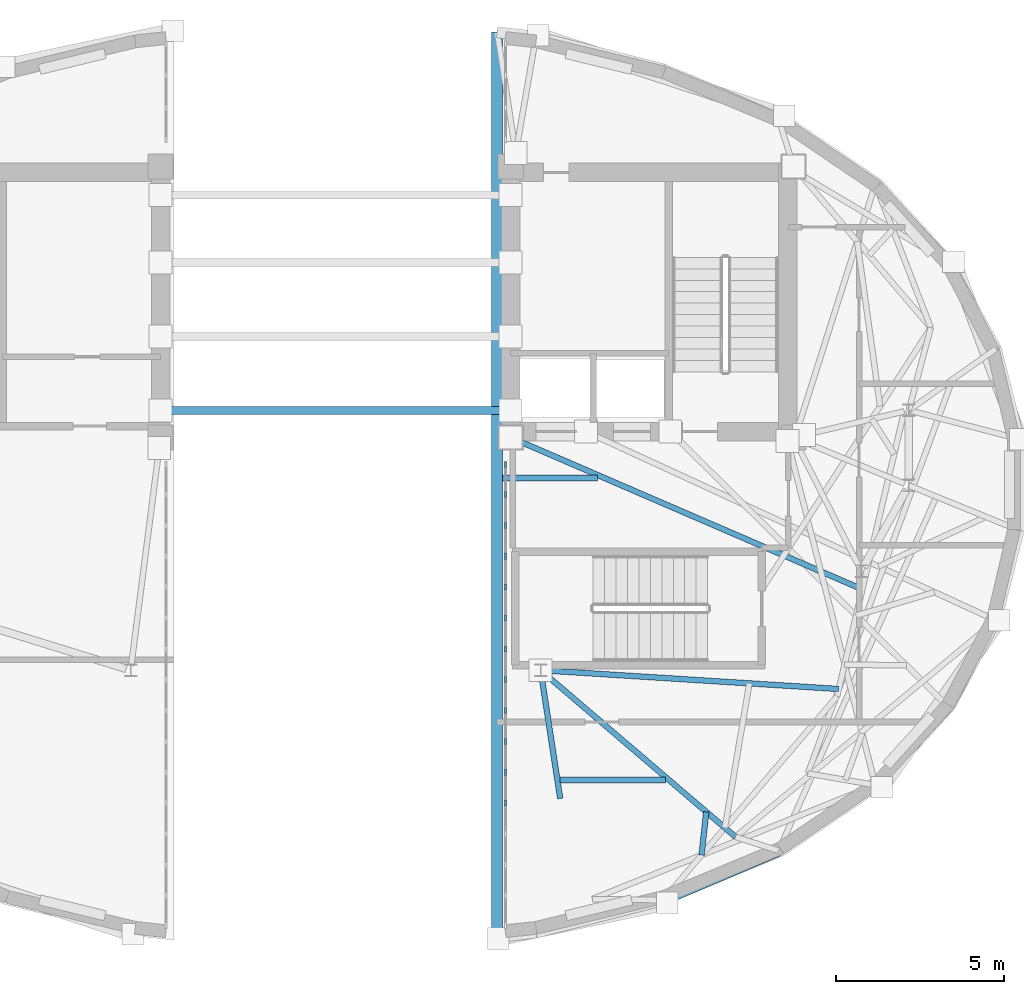
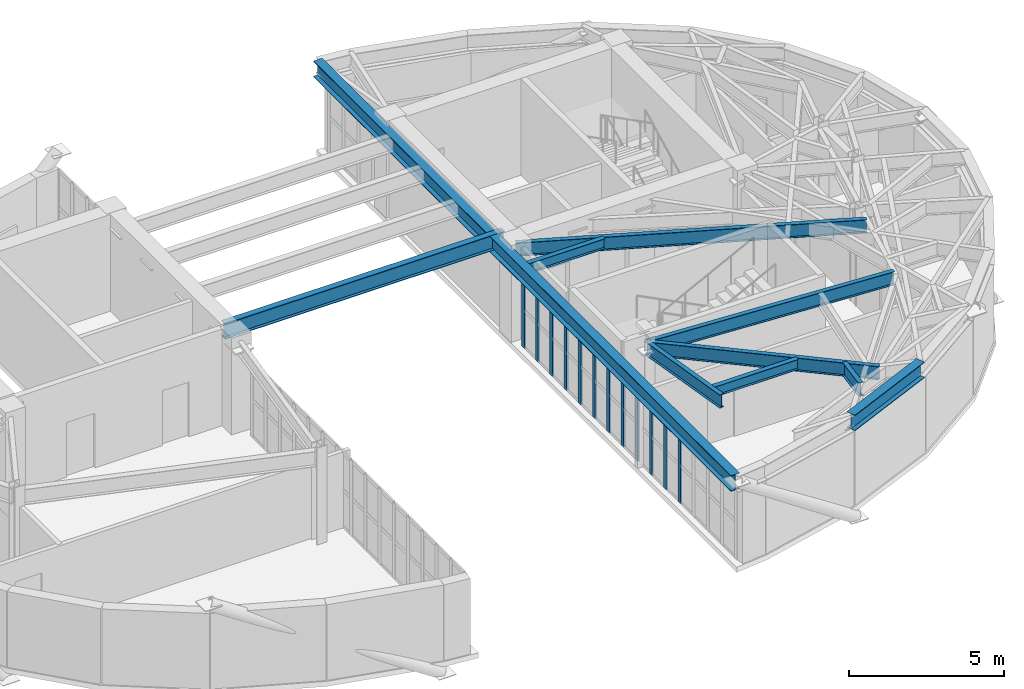
# One storey, part 3 of 13: 12 members, 10 beams, 1 element without a shape of its own.
"""IFC4 building model written with IfcOpenShell, lengths in metres."""

from ifc_helpers import new_model, si_unit, direction, frame, origin, origin_2d, place, context, subcontext, project, spatial, rectangle, i_section, extrude, material, layer, layer_set, material_profile, profile_set, type_object, element, aggregate, save


model = new_model("IFC4")

# Units and contexts
model_context = context("Model", 3, precision=1e-05, world=origin(), true_north=direction((0.0, 1.0)))
body_context = subcontext(model_context, "Body", "Model", "MODEL_VIEW")
ifc_project = project(units=[si_unit("LENGTHUNIT", "METRE"), si_unit("AREAUNIT", "SQUARE_METRE"), si_unit("VOLUMEUNIT", "CUBIC_METRE"), si_unit("PLANEANGLEUNIT", "RADIAN"), si_unit("MASSUNIT", "GRAM", prefix="KILO")], contexts=[model_context])

# Site, building, storey
site_placement = place(None, origin())
site = spatial("IfcSite", under=ifc_project, at=site_placement, CompositionType="ELEMENT")
building_placement = place(site_placement, origin())
building = spatial("IfcBuilding", under=site, at=building_placement, Name="Keldmark Tower", CompositionType="ELEMENT")
storey_placement = place(building_placement, frame((0.0, 0.0, 280.60009765625)))
storey = spatial("IfcBuildingStorey", under=building, at=storey_placement, Name="L79", CompositionType="ELEMENT", Elevation=280.60009765625)

# Beams
ifc_material_1 = material(Name="Steel ASTM A992 Grade 50", Category="steel")
ifc_material_profile_1 = material_profile(ifc_material_1, i_section(OverallWidth=0.177978515625, OverallDepth=0.403076171875, WebThickness=0.007568359375, FlangeThickness=0.010986328125, at=origin_2d()), Name="W16X36")
ifc_profile_set_1 = profile_set([ifc_material_profile_1], Name="Steel ASTM A992 Grade 50")
beam_type_1 = type_object("IfcBeamType", Name="Composite Floor Joist W16X36", PredefinedType="JOIST", material=ifc_profile_set_1)
beam_1_placement = place(storey_placement, frame((6.66455078125, -8.780029296875, 3.3984375), z_axis=(1.0, 0.0, 0.0), x_axis=(0.0, 1.0, 0.0)))
element("IfcBeam", 1, at=beam_1_placement, inside=storey, type_object=beam_type_1, Name="L79 Composite Floor Joist J01", PredefinedType="JOIST", context=body_context, shape_type="SweptSolid", body=[
    extrude(i_section(OverallWidth=0.177978515625, OverallDepth=0.403076171875, WebThickness=0.007568359375, FlangeThickness=0.010986328125, at=origin_2d()), origin(), (0.0, 0.0, 1.0), 3.12744140625),
])
beam_2_placement = place(storey_placement, frame((4.95458984375, 0.199951171875, 3.3984375), z_axis=(1.0, 0.0, 0.0), x_axis=(0.0, 1.0, 0.0)))
element("IfcBeam", 2, at=beam_2_placement, inside=storey, type_object=beam_type_1, Name="L79 Composite Floor Joist J02", PredefinedType="JOIST", context=body_context, shape_type="SweptSolid", body=[
    extrude(i_section(OverallWidth=0.177978515625, OverallDepth=0.403076171875, WebThickness=0.007568359375, FlangeThickness=0.010986328125, at=origin_2d()), origin(), (0.0, 0.0, 1.0), 2.827880859375),
])

# Curtain wall, members
ifc_material_2 = material(Name="Unitized Thermally Broken Aluminum and Triple Low-E Glazing", Category="aluminium")
ifc_layer = layer(ifc_material_2, 0.219970703125)
ifc_layer_set = layer_set([ifc_layer], Name="Unitized Thermally Broken Aluminum and Triple Low-E Glazing")
curtain_wall_type = type_object("IfcCurtainWallType", Name="Split-Top Crown Lantern Curtain Wall System", PredefinedType="NOTDEFINED", material=ifc_layer_set)
curtain_wall_placement = place(storey_placement, origin())
curtain_wall = element("IfcCurtainWall", 3, at=curtain_wall_placement, inside=storey, type_object=curtain_wall_type, Name="L79 Split-Top Crown Lantern Curtain Wall System CW-L79-ES14-1", PredefinedType="NOTDEFINED")
ifc_material_3 = material(Name="Extruded Aluminum Alloy 6063-T6", Category="aluminium")
ifc_material_profile_2 = material_profile(ifc_material_3, rectangle(XDim=0.06005859375, YDim=0.179931640625, at=origin_2d()), Name="CWM60X180")
ifc_profile_set_2 = profile_set([ifc_material_profile_2], Name="Extruded Aluminum Alloy 6063-T6")
member_type = type_object("IfcMemberType", Name="Curtain Wall Structural Mullion 60x180", PredefinedType="MULLION", material=ifc_profile_set_2)
member_1_placement = place(storey_placement, frame((5.0400390625, 0.591552734375, 0.0), z_axis=(0.0, 0.0, 1.0), x_axis=(1.0, 0.0, 0.0)))
member_1 = element("IfcMember", 4, at=member_1_placement, type_object=member_type, Name="CW mullion 1", PredefinedType="MULLION", context=body_context, shape_type="SweptSolid", body=[
    extrude(rectangle(XDim=0.06005859375, YDim=0.179931640625, at=origin_2d()), origin(), (0.0, 0.0, 1.0), 2.9658203125),
])
member_2_placement = place(storey_placement, frame((5.0400390625, -0.294921875, 0.0), z_axis=(0.0, 0.0, 1.0), x_axis=(1.0, 0.0, 0.0)))
member_2 = element("IfcMember", 5, at=member_2_placement, type_object=member_type, Name="CW mullion 2", PredefinedType="MULLION", context=body_context, shape_type="SweptSolid", body=[
    extrude(rectangle(XDim=0.06005859375, YDim=0.179931640625, at=origin_2d()), origin(), (0.0, 0.0, 1.0), 2.9658203125),
])
member_3_placement = place(storey_placement, frame((5.0400390625, -1.21142578125, 0.0), z_axis=(0.0, 0.0, 1.0), x_axis=(1.0, 0.0, 0.0)))
member_3 = element("IfcMember", 6, at=member_3_placement, type_object=member_type, Name="CW mullion 3", PredefinedType="MULLION", context=body_context, shape_type="SweptSolid", body=[
    extrude(rectangle(XDim=0.06005859375, YDim=0.179931640625, at=origin_2d()), origin(), (0.0, 0.0, 1.0), 2.9658203125),
])
member_4_placement = place(storey_placement, frame((5.0400390625, -2.127685546875, 0.0), z_axis=(0.0, 0.0, 1.0), x_axis=(1.0, 0.0, 0.0)))
member_4 = element("IfcMember", 7, at=member_4_placement, type_object=member_type, Name="CW mullion 4", PredefinedType="MULLION", context=body_context, shape_type="SweptSolid", body=[
    extrude(rectangle(XDim=0.06005859375, YDim=0.179931640625, at=origin_2d()), origin(), (0.0, 0.0, 1.0), 2.9658203125),
])
member_5_placement = place(storey_placement, frame((5.0400390625, -3.044189453125, 0.0), z_axis=(0.0, 0.0, 1.0), x_axis=(1.0, 0.0, 0.0)))
member_5 = element("IfcMember", 8, at=member_5_placement, type_object=member_type, Name="CW mullion 5", PredefinedType="MULLION", context=body_context, shape_type="SweptSolid", body=[
    extrude(rectangle(XDim=0.06005859375, YDim=0.179931640625, at=origin_2d()), origin(), (0.0, 0.0, 1.0), 2.9658203125),
])
member_6_placement = place(storey_placement, frame((5.0400390625, -3.960693359375, 0.0), z_axis=(0.0, 0.0, 1.0), x_axis=(1.0, 0.0, 0.0)))
member_6 = element("IfcMember", 9, at=member_6_placement, type_object=member_type, Name="CW mullion 6", PredefinedType="MULLION", context=body_context, shape_type="SweptSolid", body=[
    extrude(rectangle(XDim=0.06005859375, YDim=0.179931640625, at=origin_2d()), origin(), (0.0, 0.0, 1.0), 2.9658203125),
])
member_7_placement = place(storey_placement, frame((5.0400390625, -4.876953125, 0.0), z_axis=(0.0, 0.0, 1.0), x_axis=(1.0, 0.0, 0.0)))
member_7 = element("IfcMember", 10, at=member_7_placement, type_object=member_type, Name="CW mullion 7", PredefinedType="MULLION", context=body_context, shape_type="SweptSolid", body=[
    extrude(rectangle(XDim=0.06005859375, YDim=0.179931640625, at=origin_2d()), origin(), (0.0, 0.0, 1.0), 2.9658203125),
])
member_8_placement = place(storey_placement, frame((5.0400390625, -5.79345703125, 0.0), z_axis=(0.0, 0.0, 1.0), x_axis=(1.0, 0.0, 0.0)))
member_8 = element("IfcMember", 11, at=member_8_placement, type_object=member_type, Name="CW mullion 8", PredefinedType="MULLION", context=body_context, shape_type="SweptSolid", body=[
    extrude(rectangle(XDim=0.06005859375, YDim=0.179931640625, at=origin_2d()), origin(), (0.0, 0.0, 1.0), 2.9658203125),
])
member_9_placement = place(storey_placement, frame((5.0400390625, -6.7099609375, 0.0), z_axis=(0.0, 0.0, 1.0), x_axis=(1.0, 0.0, 0.0)))
member_9 = element("IfcMember", 12, at=member_9_placement, type_object=member_type, Name="CW mullion 9", PredefinedType="MULLION", context=body_context, shape_type="SweptSolid", body=[
    extrude(rectangle(XDim=0.06005859375, YDim=0.179931640625, at=origin_2d()), origin(), (0.0, 0.0, 1.0), 2.9658203125),
])
member_10_placement = place(storey_placement, frame((5.0400390625, -7.626220703125, 0.0), z_axis=(0.0, 0.0, 1.0), x_axis=(1.0, 0.0, 0.0)))
member_10 = element("IfcMember", 13, at=member_10_placement, type_object=member_type, Name="CW mullion 10", PredefinedType="MULLION", context=body_context, shape_type="SweptSolid", body=[
    extrude(rectangle(XDim=0.06005859375, YDim=0.179931640625, at=origin_2d()), origin(), (0.0, 0.0, 1.0), 2.9658203125),
])
member_11_placement = place(storey_placement, frame((5.0400390625, -8.542724609375, 0.0), z_axis=(0.0, 0.0, 1.0), x_axis=(1.0, 0.0, 0.0)))
member_11 = element("IfcMember", 14, at=member_11_placement, type_object=member_type, Name="CW mullion 11", PredefinedType="MULLION", context=body_context, shape_type="SweptSolid", body=[
    extrude(rectangle(XDim=0.06005859375, YDim=0.179931640625, at=origin_2d()), origin(), (0.0, 0.0, 1.0), 2.9658203125),
])
member_12_placement = place(storey_placement, frame((5.0400390625, -9.459228515625, 0.0), z_axis=(0.0, 0.0, 1.0), x_axis=(1.0, 0.0, 0.0)))
member_12 = element("IfcMember", 15, at=member_12_placement, type_object=member_type, Name="CW mullion 12", PredefinedType="MULLION", context=body_context, shape_type="SweptSolid", body=[
    extrude(rectangle(XDim=0.06005859375, YDim=0.179931640625, at=origin_2d()), origin(), (0.0, 0.0, 1.0), 2.9658203125),
])
aggregate(curtain_wall, [member_1, member_2, member_3, member_4, member_5, member_6, member_7, member_8, member_9, member_10, member_11, member_12])

# Beams
ifc_material_4 = material(Name="Steel ASTM A992 Grade 50", Category="steel")
ifc_material_profile_3 = material_profile(ifc_material_4, i_section(OverallWidth=0.22900390625, OverallDepth=0.612060546875, WebThickness=0.011962890625, FlangeThickness=0.01953125, at=origin_2d()), Name="W24X84")
ifc_profile_set_3 = profile_set([ifc_material_profile_3], Name="Steel ASTM A992 Grade 50")
beam_type_2 = type_object("IfcBeamType", Name="Primary Floor Girder W24X84", PredefinedType="BEAM", material=ifc_profile_set_3)
beam_3_placement = place(storey_placement, frame((-5.199951171875, 2.199951171875, 3.2939453125), z_axis=(1.0, 0.0, 0.0), x_axis=(0.0, 1.0, 0.0)))
element("IfcBeam", 16, at=beam_3_placement, inside=storey, type_object=beam_type_2, Name="L79 Sky-Slot Roof Support Girder SLTB-01", PredefinedType="BEAM", context=body_context, shape_type="SweptSolid", body=[
    extrude(i_section(OverallWidth=0.22900390625, OverallDepth=0.612060546875, WebThickness=0.011962890625, FlangeThickness=0.01953125, at=origin_2d()), origin(), (0.0, 0.0, 1.0), 10.39990234375),
])
ifc_material_5 = material(Name="Steel ASTM A992 Grade 50", Category="steel")
ifc_material_profile_4 = material_profile(ifc_material_5, i_section(OverallWidth=0.166015625, OverallDepth=0.529052734375, WebThickness=0.009765625, FlangeThickness=0.013671875, at=origin_2d()), Name="W21X50")
ifc_profile_set_4 = profile_set([ifc_material_profile_4], Name="Steel ASTM A992 Grade 50")
beam_type_3 = type_object("IfcBeamType", Name="Radial Tie Girder W21X50", PredefinedType="BEAM", material=ifc_profile_set_4)
beam_4_placement = place(storey_placement, frame((5.199951171875, 1.39990234375, 3.33544921875), z_axis=(0.918089509385, -0.396373123153, 0.0), x_axis=(0.396373123153, 0.918089509385, 0.0)))
element("IfcBeam", 17, at=beam_4_placement, inside=storey, type_object=beam_type_3, Name="L79 Framing Pin Header PH-001", PredefinedType="BEAM", context=body_context, shape_type="SweptSolid", body=[
    extrude(i_section(OverallWidth=0.166015625, OverallDepth=0.529052734375, WebThickness=0.009765625, FlangeThickness=0.013671875, at=origin_2d()), origin(), (0.0, 0.0, 1.0), 11.376953125),
])
beam_5_placement = place(storey_placement, frame((6.089599609375, -5.512939453125, 3.33544921875), z_axis=(0.998024652177, -0.062823511894, 0.0), x_axis=(0.062823511894, 0.998024652177, 0.0)))
element("IfcBeam", 18, at=beam_5_placement, inside=storey, type_object=beam_type_3, Name="L79 Framing Pin Header PH-006", PredefinedType="BEAM", context=body_context, shape_type="SweptSolid", body=[
    extrude(i_section(OverallWidth=0.166015625, OverallDepth=0.529052734375, WebThickness=0.009765625, FlangeThickness=0.013671875, at=origin_2d()), origin(), (0.0, 0.0, 1.0), 8.8759765625),
])
beam_6_placement = place(storey_placement, frame((6.089599609375, -5.512939453125, 3.33544921875), z_axis=(0.760025555428, -0.649893187451, 0.0), x_axis=(0.649893187451, 0.760025555428, 0.0)))
element("IfcBeam", 19, at=beam_6_placement, inside=storey, type_object=beam_type_3, Name="L79 Straddling Support Chord CRT-E13RB", PredefinedType="BEAM", context=body_context, shape_type="SweptSolid", body=[
    extrude(i_section(OverallWidth=0.166015625, OverallDepth=0.529052734375, WebThickness=0.009765625, FlangeThickness=0.013671875, at=origin_2d()), origin(), (0.0, 0.0, 1.0), 7.61474609375),
])
beam_7_placement = place(storey_placement, frame((11.0087890625, -9.719482421875, 3.33544921875), z_axis=(-0.10750708047, -0.994204318864, 0.0), x_axis=(0.994204318864, -0.10750708047, 0.0)))
element("IfcBeam", 20, at=beam_7_placement, inside=storey, type_object=beam_type_3, Name="L79 Framing Pin Header PH-011", PredefinedType="BEAM", context=body_context, shape_type="SweptSolid", body=[
    extrude(i_section(OverallWidth=0.166015625, OverallDepth=0.529052734375, WebThickness=0.009765625, FlangeThickness=0.013671875, at=origin_2d()), origin(), (0.0, 0.0, 1.0), 1.292236328125),
])
beam_8_placement = place(storey_placement, frame((6.089599609375, -5.512939453125, 3.33544921875), z_axis=(0.15097211054, -0.988538022455, 0.0), x_axis=(0.988538022455, 0.15097211054, 0.0)))
element("IfcBeam", 21, at=beam_8_placement, inside=storey, type_object=beam_type_3, Name="L79 Column Step Bracket CRT-E14RS", PredefinedType="BEAM", context=body_context, shape_type="SweptSolid", body=[
    extrude(i_section(OverallWidth=0.166015625, OverallDepth=0.529052734375, WebThickness=0.009765625, FlangeThickness=0.013671875, at=origin_2d()), origin(), (0.0, 0.0, 1.0), 3.855224609375),
])
ifc_material_6 = material(Name="Steel ASTM A992 Grade 50", Category="steel")
ifc_material_profile_5 = material_profile(ifc_material_6, i_section(OverallWidth=0.326904296875, OverallDepth=0.6220703125, WebThickness=0.015380859375, FlangeThickness=0.0244140625, at=origin_2d()), Name="W24X131")
ifc_profile_set_5 = profile_set([ifc_material_profile_5], Name="Steel ASTM A992 Grade 50")
beam_type_4 = type_object("IfcBeamType", Name="Spandrel Ring Beam W24X131", PredefinedType="SPANDREL", material=ifc_profile_set_5)
beam_9_placement = place(storey_placement, frame((13.156982421875, -10.8740234375, 3.288818359375), z_axis=(-0.919249906296, -0.393674497237, 0.0), x_axis=(0.393674497237, -0.919249906296, 0.0)))
element("IfcBeam", 22, at=beam_9_placement, inside=storey, type_object=beam_type_4, Name="L79 Crown Spandrel Ring Beam CRB-E12", PredefinedType="SPANDREL", context=body_context, shape_type="SweptSolid", body=[
    extrude(i_section(OverallWidth=0.326904296875, OverallDepth=0.6220703125, WebThickness=0.015380859375, FlangeThickness=0.0244140625, at=origin_2d()), origin(), (0.0, 0.0, 1.0), 3.7314453125),
])
beam_10_placement = place(storey_placement, frame((4.800048828125, -13.439697265625, 3.288818359375), z_axis=(0.0, 1.0, 0.0), x_axis=(-1.0, 0.0, 0.0)))
element("IfcBeam", 23, at=beam_10_placement, inside=storey, type_object=beam_type_4, Name="L79 Crown Spandrel Ring Beam CRB-E15", PredefinedType="SPANDREL", context=body_context, shape_type="SweptSolid", body=[
    extrude(i_section(OverallWidth=0.326904296875, OverallDepth=0.6220703125, WebThickness=0.015380859375, FlangeThickness=0.0244140625, at=origin_2d()), origin(), (0.0, 0.0, 1.0), 26.87939453125),
])

save(model, "model.ifc")
